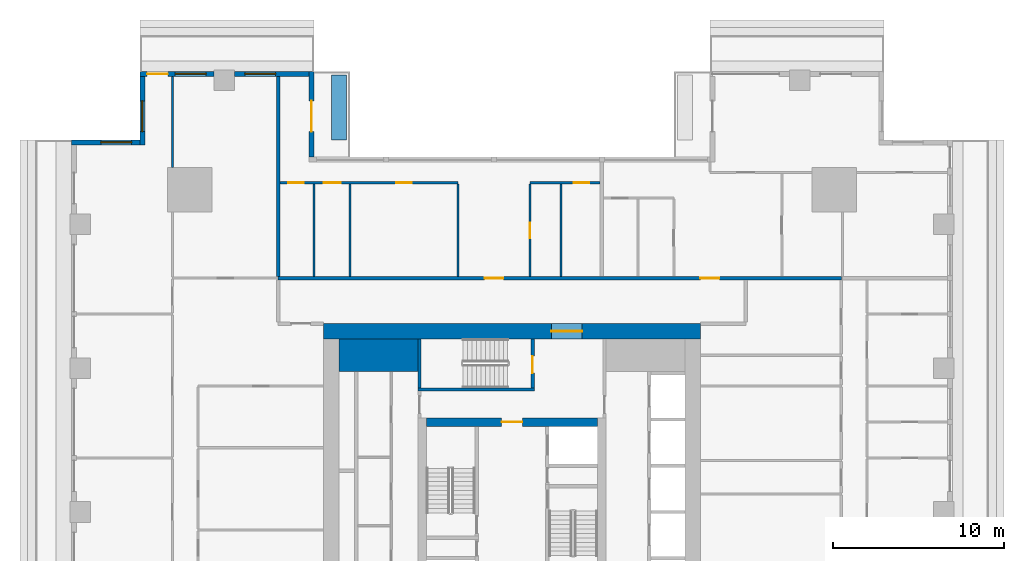
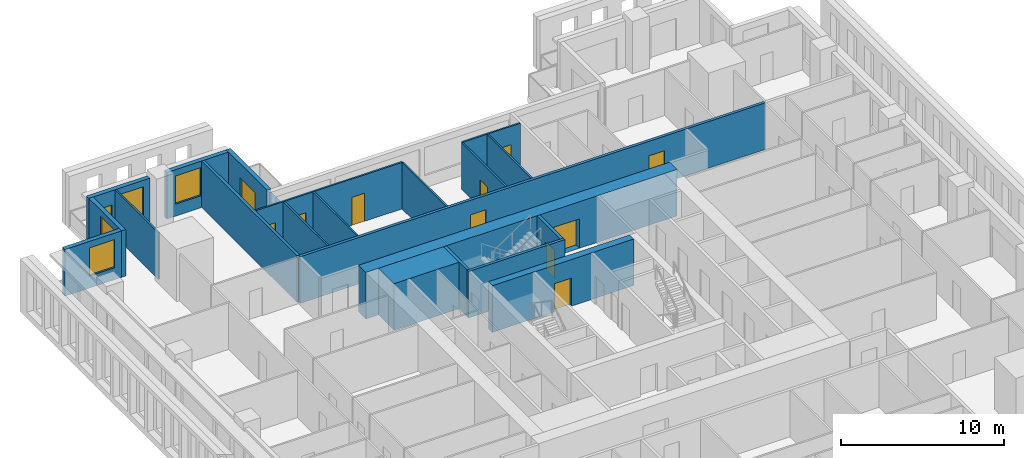
# One storey, part 7 of 15: 22 walls, 12 doors, 4 windows, 16 openings.
"""IFC4 building model written with IfcOpenShell, lengths in metres."""

from ifc_helpers import new_model, si_unit, direction, frame, frame_2d, origin, place, context, subcontext, project, spatial, rectangle, extrude, material, layer, layer_set, type_object, element, fill, save


model = new_model("IFC4")

# Units and contexts
model_context = context("Model", 3, precision=1e-05, world=origin(), true_north=direction((0.0, 1.0)))
body_context = subcontext(model_context, "Body", "Model", "MODEL_VIEW")
ifc_project = project(units=[si_unit("LENGTHUNIT", "METRE"), si_unit("AREAUNIT", "SQUARE_METRE"), si_unit("VOLUMEUNIT", "CUBIC_METRE"), si_unit("PLANEANGLEUNIT", "RADIAN"), si_unit("MASSUNIT", "GRAM", prefix="KILO")], contexts=[model_context])

# Site, building, storey
site_placement = place(None, origin())
site = spatial("IfcSite", under=ifc_project, at=site_placement, CompositionType="ELEMENT")
building_placement = place(site_placement, origin())
building = spatial("IfcBuilding", under=site, at=building_placement, Name="Khepri Terraces", CompositionType="ELEMENT")
storey_placement = place(building_placement, frame((0.0, 0.0, 165.0)))
storey = spatial("IfcBuildingStorey", under=building, at=storey_placement, Name="L39", CompositionType="ELEMENT", Elevation=165.0)

# Walls
ifc_material_1 = material(Name="Concrete C60/75", Category="concrete")
ifc_layer_1 = layer(ifc_material_1, 1.89990234375, Name="Concrete C60/75", Category="concrete")
ifc_layer_set_1 = layer_set([ifc_layer_1], Name="Concrete C60/75")
wall_type_1 = type_object("IfcWallType", Name="Core wall 1900 C60/75", PredefinedType="SHEAR", material=ifc_layer_set_1)
wall_1_placement = place(storey_placement, frame((-10.10009765625, 9.14990234375, 0.0), z_axis=(0.0, 0.0, 1.0), x_axis=(1.0, 0.0, 0.0)))
element("IfcWall", 1, at=wall_1_placement, inside=storey, type_object=wall_type_1, Name="Core wall PR03 L39", PredefinedType="SHEAR", context=body_context, shape_type="SweptSolid", body=[
    extrude(rectangle(XDim=4.60009765625, YDim=1.89990234375, at=frame_2d((2.300048828125, 0.0))), origin(), (0.0, 0.0, 1.0), 3.47998046875),
])
ifc_layer_2 = layer(ifc_material_1, 0.199951171875, Name="Concrete C60/75", Category="concrete")
ifc_layer_set_2 = layer_set([ifc_layer_2], Name="Concrete C60/75")
wall_type_2 = type_object("IfcWallType", Name="Core wall 200 C60/75", PredefinedType="SHEAR", material=ifc_layer_set_2)
wall_2_placement = place(storey_placement, frame((-5.5, 7.14990234375, 0.0), z_axis=(0.0, 0.0, 1.0), x_axis=(1.0, 0.0, 0.0)))
element("IfcWall", 2, at=wall_2_placement, inside=storey, type_object=wall_type_2, Name="Core wall ST05 L39", PredefinedType="SHEAR", context=body_context, shape_type="SweptSolid", body=[
    extrude(rectangle(XDim=6.800048828125, YDim=0.199951171875, at=frame_2d((3.39990234375, 0.0))), origin(), (0.0, 0.0, 1.0), 3.47998046875),
])
wall_3_placement = place(storey_placement, frame((-5.39990234375, 7.25, 0.0), z_axis=(0.0, 0.0, 1.0), x_axis=(0.0, 1.0, 0.0)))
element("IfcWall", 3, at=wall_3_placement, inside=storey, type_object=wall_type_2, Name="Core wall ST06 L39", PredefinedType="SHEAR", context=body_context, shape_type="SweptSolid", body=[
    extrude(rectangle(XDim=2.85009765625, YDim=0.199951171875, at=frame_2d((1.425048828125, 0.0))), origin(), (0.0, 0.0, 1.0), 3.47998046875),
])

# Wall, opening, door
wall_4_placement = place(storey_placement, frame((1.199951171875, 7.25, 0.0), z_axis=(0.0, 0.0, 1.0), x_axis=(0.0, 1.0, 0.0)))
wall_4 = element("IfcWall", 4, at=wall_4_placement, inside=storey, type_object=wall_type_2, Name="Core wall ST07 L39", PredefinedType="SHEAR", context=body_context, shape_type="SweptSolid", body=[
    extrude(rectangle(XDim=2.85009765625, YDim=0.199951171875, at=frame_2d((1.425048828125, 0.0))), origin(), (0.0, 0.0, 1.0), 3.47998046875),
])
opening_1_placement = place(wall_4_placement, frame((0.85009765625, 0.0, 0.0)))
opening_1 = element("IfcOpeningElement", 5, at=opening_1_placement, cuts=wall_4, Name="Opening L39-C15", PredefinedType="OPENING", context=body_context, shape_type="SweptSolid", body=[
    extrude(rectangle(XDim=1.0, YDim=2.10009765625, at=frame_2d((0.5, 1.050048828125))), frame((0.0, 0.10986328125, 0.0), z_axis=(0.0, -1.0, 0.0), x_axis=(1.0, 0.0, 0.0)), (0.0, 0.0, 1.0), 0.219970703125),
])
ifc_material_2 = material(Name="Painted steel", Category="steel")
door_type_1 = type_object("IfcDoorType", Name="DR-CORE-STAIR-1000", OperationType="NOTDEFINED", PredefinedType="DOOR", material=ifc_material_2)
door_1_placement = place(opening_1_placement, origin())
door_1 = element("IfcDoor", 6, at=door_1_placement, inside=storey, type_object=door_type_1, Name="Stair door L39-C15", OperationType="SINGLE_SWING_LEFT", OverallHeight=2.10009765625, OverallWidth=1.0, PredefinedType="DOOR", context=body_context, shape_type="SweptSolid", body=[
    extrude(rectangle(XDim=1.0, YDim=2.10009765625, at=frame_2d((0.5, 1.050048828125))), frame((0.0, 0.02490234375, 0.0), z_axis=(0.0, -1.0, 0.0), x_axis=(1.0, 0.0, 0.0)), (0.0, 0.0, 1.0), 0.050048828125),
])
fill(opening_1, door_1)

ifc_layer_3 = layer(ifc_material_1, 0.5, Name="Concrete C60/75", Category="concrete")
ifc_layer_set_3 = layer_set([ifc_layer_3], Name="Concrete C60/75")
wall_type_3 = type_object("IfcWallType", Name="Core wall 500 C60/75", PredefinedType="SHEAR", material=ifc_layer_set_3)
wall_5_placement = place(storey_placement, frame((-5.0, 5.25, 0.0), z_axis=(0.0, 0.0, 1.0), x_axis=(1.0, 0.0, 0.0)))
wall_5 = element("IfcWall", 7, at=wall_5_placement, inside=storey, type_object=wall_type_3, Name="Core wall BX04 L39", PredefinedType="SHEAR", context=body_context, shape_type="SweptSolid", body=[
    extrude(rectangle(XDim=10.0, YDim=0.5, at=frame_2d((5.0, 0.0))), origin(), (0.0, 0.0, 1.0), 3.47998046875),
])
opening_2_placement = place(wall_5_placement, frame((4.39990234375, 0.0, 0.0)))
opening_2 = element("IfcOpeningElement", 8, at=opening_2_placement, cuts=wall_5, Name="Opening L39-C13", PredefinedType="OPENING", context=body_context, shape_type="SweptSolid", body=[
    extrude(rectangle(XDim=1.199951171875, YDim=2.10009765625, at=frame_2d((0.60009765625, 1.050048828125))), frame((0.0, 0.260009765625, 0.0), z_axis=(0.0, -1.0, 0.0), x_axis=(1.0, 0.0, 0.0)), (0.0, 0.0, 1.0), 0.52001953125),
])
door_type_2 = type_object("IfcDoorType", Name="DR-CORE-FF-LOBBY-1200", OperationType="NOTDEFINED", PredefinedType="DOOR", material=ifc_material_2)
door_2_placement = place(opening_2_placement, frame((1.199951171875, 0.0, 0.0), z_axis=(0.0, 0.0, 1.0), x_axis=(-1.0, 0.0, 0.0)))
door_2 = element("IfcDoor", 9, at=door_2_placement, inside=storey, type_object=door_type_2, Name="Firefighting lobby door L39-C13", OperationType="SINGLE_SWING_LEFT", OverallHeight=2.10009765625, OverallWidth=1.199951171875, PredefinedType="DOOR", context=body_context, shape_type="SweptSolid", body=[
    extrude(rectangle(XDim=1.199951171875, YDim=2.10009765625, at=frame_2d((0.60009765625, 1.050048828125))), frame((0.0, 0.02490234375, 0.0), z_axis=(0.0, -1.0, 0.0), x_axis=(1.0, 0.0, 0.0)), (0.0, 0.0, 1.0), 0.050048828125),
])
fill(opening_2, door_2)

ifc_layer_4 = layer(ifc_material_1, 0.89990234375, Name="Concrete C60/75", Category="concrete")
ifc_layer_set_4 = layer_set([ifc_layer_4], Name="Concrete C60/75")
wall_type_4 = type_object("IfcWallType", Name="Core wall 900 C60/75", PredefinedType="SHEAR", material=ifc_layer_set_4)
wall_6_placement = place(storey_placement, frame((-11.0, 10.550048828125, 0.0), z_axis=(0.0, 0.0, 1.0), x_axis=(1.0, 0.0, 0.0)))
wall_6 = element("IfcWall", 10, at=wall_6_placement, inside=storey, type_object=wall_type_4, Name="Core wall OW-N L39", PredefinedType="SHEAR", context=body_context, shape_type="SweptSolid", body=[
    extrude(rectangle(XDim=22.0, YDim=0.89990234375, at=frame_2d((11.0, 0.0))), origin(), (0.0, 0.0, 1.0), 3.47998046875),
])
opening_3_placement = place(wall_6_placement, frame((13.300048828125, 0.0, 0.0)))
opening_3 = element("IfcOpeningElement", 11, at=opening_3_placement, cuts=wall_6, Name="Opening L39-C20", PredefinedType="OPENING", context=body_context, shape_type="SweptSolid", body=[
    extrude(rectangle(XDim=1.800048828125, YDim=2.199951171875, at=frame_2d((0.89990234375, 1.10009765625))), frame((0.0, 0.4599609375, 0.0), z_axis=(0.0, -1.0, 0.0), x_axis=(1.0, 0.0, 0.0)), (0.0, 0.0, 1.0), 0.919921875),
])
door_type_3 = type_object("IfcDoorType", Name="DR-CORE-ENTRANCE-1800", OperationType="NOTDEFINED", PredefinedType="DOOR", material=ifc_material_2)
door_3_placement = place(opening_3_placement, origin())
door_3 = element("IfcDoor", 12, at=door_3_placement, inside=storey, type_object=door_type_3, Name="Core entrance door pair L39-C20", OperationType="DOUBLE_DOOR_SINGLE_SWING", OverallHeight=2.199951171875, OverallWidth=1.800048828125, PredefinedType="DOOR", context=body_context, shape_type="SweptSolid", body=[
    extrude(rectangle(XDim=1.800048828125, YDim=2.199951171875, at=frame_2d((0.89990234375, 1.10009765625))), frame((0.0, 0.02490234375, 0.0), z_axis=(0.0, -1.0, 0.0), x_axis=(1.0, 0.0, 0.0)), (0.0, 0.0, 1.0), 0.050048828125),
])
fill(opening_3, door_3)

# Wall, openings, doors
ifc_material_3 = material(Name="Fire-rated gypsum plasterboard partition, mineral wool")
ifc_layer_5 = layer(ifc_material_3, 0.199951171875, Name="Fire-rated gypsum plasterboard partition, mineral wool")
ifc_layer_set_5 = layer_set([ifc_layer_5], Name="Fire-rated gypsum plasterboard partition, mineral wool")
wall_type_5 = type_object("IfcWallType", Name="WL-CORR-200", PredefinedType="PARTITIONING", material=ifc_layer_set_5)
wall_7_placement = place(storey_placement, frame((-13.64990234375, 13.64990234375, 0.0), z_axis=(0.0, 0.0, 1.0), x_axis=(1.0, 0.0, 0.0)))
wall_7 = element("IfcWall", 13, at=wall_7_placement, inside=storey, type_object=wall_type_5, Name="Partition P-084 L39", PredefinedType="PARTITIONING", context=body_context, shape_type="SweptSolid", body=[
    extrude(rectangle(XDim=32.869873046875, YDim=0.199951171875, at=frame_2d((16.43505859375, 0.0))), origin(), (0.0, 0.0, 1.0), 3.47998046875),
])
opening_4_placement = place(wall_7_placement, frame((24.64990234375, 0.0, 0.0)))
opening_4 = element("IfcOpeningElement", 14, at=opening_4_placement, cuts=wall_7, Name="Opening D1", PredefinedType="OPENING", context=body_context, shape_type="SweptSolid", body=[
    extrude(rectangle(XDim=1.10009765625, YDim=2.39990234375, at=frame_2d((0.550048828125, 1.199951171875))), frame((0.0, 0.10986328125, 0.0), z_axis=(0.0, -1.0, 0.0), x_axis=(1.0, 0.0, 0.0)), (0.0, 0.0, 1.0), 0.219970703125),
])
opening_5_placement = place(wall_7_placement, frame((12.050048828125, 0.0, 0.0)))
opening_5 = element("IfcOpeningElement", 15, at=opening_5_placement, cuts=wall_7, Name="Opening D1", PredefinedType="OPENING", context=body_context, shape_type="SweptSolid", body=[
    extrude(rectangle(XDim=1.10009765625, YDim=2.39990234375, at=frame_2d((0.550048828125, 1.199951171875))), frame((0.0, 0.10986328125, 0.0), z_axis=(0.0, -1.0, 0.0), x_axis=(1.0, 0.0, 0.0)), (0.0, 0.0, 1.0), 0.219970703125),
])
ifc_material_4 = material(Name="Solid-core timber door leaf, flat entrance door", Category="wood")
door_type_4 = type_object("IfcDoorType", Name="DR-ENT-1100", OperationType="NOTDEFINED", PredefinedType="DOOR", material=ifc_material_4)
door_4_placement = place(opening_4_placement, origin())
door_4 = element("IfcDoor", 16, at=door_4_placement, inside=storey, type_object=door_type_4, Name="Flat C1 entrance door", OperationType="SINGLE_SWING_RIGHT", OverallHeight=2.39990234375, OverallWidth=1.10009765625, PredefinedType="DOOR", context=body_context, shape_type="SweptSolid", body=[
    extrude(rectangle(XDim=1.10009765625, YDim=2.39990234375, at=frame_2d((0.550048828125, 1.199951171875))), frame((0.0, 0.02490234375, 0.0), z_axis=(0.0, -1.0, 0.0), x_axis=(1.0, 0.0, 0.0)), (0.0, 0.0, 1.0), 0.050048828125),
])
fill(opening_4, door_4)
door_5_placement = place(opening_5_placement, origin())
door_5 = element("IfcDoor", 17, at=door_5_placement, inside=storey, type_object=door_type_4, Name="Flat C2 entrance door", OperationType="SINGLE_SWING_LEFT", OverallHeight=2.39990234375, OverallWidth=1.10009765625, PredefinedType="DOOR", context=body_context, shape_type="SweptSolid", body=[
    extrude(rectangle(XDim=1.10009765625, YDim=2.39990234375, at=frame_2d((0.550048828125, 1.199951171875))), frame((0.0, 0.02490234375, 0.0), z_axis=(0.0, -1.0, 0.0), x_axis=(1.0, 0.0, 0.0)), (0.0, 0.0, 1.0), 0.050048828125),
])
fill(opening_5, door_5)

# Wall
wall_8_placement = place(storey_placement, frame((-13.64990234375, 13.75, 0.0), z_axis=(0.0, 0.0, 1.0), x_axis=(0.0, 1.0, 0.0)))
element("IfcWall", 18, at=wall_8_placement, inside=storey, type_object=wall_type_5, Name="Partition P-087 L39", PredefinedType="PARTITIONING", context=body_context, shape_type="SweptSolid", body=[
    extrude(rectangle(XDim=11.669921875, YDim=0.199951171875, at=frame_2d((5.8349609375, 0.0))), origin(), (0.0, 0.0, 1.0), 3.47998046875),
])

# Wall, opening, door
ifc_material_5 = material(Name="Precast concrete C50/60 warm stone", Category="masonry")
ifc_layer_6 = layer(ifc_material_5, 0.300048828125, Name="Precast concrete C50/60 warm stone", Category="masonry")
ifc_layer_set_6 = layer_set([ifc_layer_6], Name="Precast concrete C50/60 warm stone")
wall_type_6 = type_object("IfcWallType", Name="WL-EXT-PRECAST-300", PredefinedType="STANDARD", material=ifc_layer_set_6)
wall_9_placement = place(storey_placement, frame((-11.699951171875, 20.719970703125, 0.0), z_axis=(0.0, 0.0, 1.0), x_axis=(0.0, 1.0, 0.0)))
wall_9 = element("IfcWall", 19, at=wall_9_placement, inside=storey, type_object=wall_type_6, Name="External wall L39 E", PredefinedType="STANDARD", context=body_context, shape_type="SweptSolid", body=[
    extrude(rectangle(XDim=5.0, YDim=0.300048828125, at=frame_2d((2.5, 0.0))), origin(), (0.0, 0.0, 1.0), 3.47998046875),
])
opening_6_placement = place(wall_9_placement, frame((1.47998046875, 0.0, 0.0)))
opening_6 = element("IfcOpeningElement", 20, at=opening_6_placement, cuts=wall_9, Name="Opening ED-L39-11", PredefinedType="OPENING", context=body_context, shape_type="SweptSolid", body=[
    extrude(rectangle(XDim=1.800048828125, YDim=2.39990234375, at=frame_2d((0.89990234375, 1.199951171875))), frame((0.0, 0.16015625, 0.0), z_axis=(0.0, -1.0, 0.0), x_axis=(1.0, 0.0, 0.0)), (0.0, 0.0, 1.0), 0.320068359375),
])
ifc_material_6 = material(Name="Anodised aluminium bronze glazed door", Category="aluminium")
door_type_5 = type_object("IfcDoorType", Name="DR-BAL-SLIDE-1800x2400", OperationType="NOTDEFINED", PredefinedType="DOOR", material=ifc_material_6)
door_6_placement = place(opening_6_placement, origin())
door_6 = element("IfcDoor", 21, at=door_6_placement, inside=storey, type_object=door_type_5, Name="Balcony door L39 E", OperationType="SLIDING_TO_RIGHT", OverallHeight=2.39990234375, OverallWidth=1.800048828125, PredefinedType="DOOR", context=body_context, shape_type="SweptSolid", body=[
    extrude(rectangle(XDim=1.800048828125, YDim=2.39990234375, at=frame_2d((0.89990234375, 1.199951171875))), frame((0.0, 0.02490234375, 0.0), z_axis=(0.0, -1.0, 0.0), x_axis=(1.0, 0.0, 0.0)), (0.0, 0.0, 1.0), 0.050048828125),
])
fill(opening_6, door_6)

# Wall, opening, window
wall_10_placement = place(storey_placement, frame((-11.85009765625, 25.570068359375, 0.0), z_axis=(0.0, 0.0, 1.0), x_axis=(-1.0, 0.0, 0.0)))
wall_10 = element("IfcWall", 22, at=wall_10_placement, inside=storey, type_object=wall_type_6, Name="External wall L39 N", PredefinedType="STANDARD", context=body_context, shape_type="SweptSolid", body=[
    extrude(rectangle(XDim=4.349853515625, YDim=0.300048828125, at=frame_2d((2.1748046875, 0.0))), origin(), (0.0, 0.0, 1.0), 3.47998046875),
])
opening_7_placement = place(wall_10_placement, frame((1.949951171875, 0.0, 0.89990234375)))
opening_7 = element("IfcOpeningElement", 23, at=opening_7_placement, cuts=wall_10, Name="Opening W1", PredefinedType="OPENING", context=body_context, shape_type="SweptSolid", body=[
    extrude(rectangle(XDim=1.800048828125, YDim=2.10009765625, at=frame_2d((0.89990234375, 1.050048828125))), frame((0.0, 0.16015625, 0.0), z_axis=(0.0, -1.0, 0.0), x_axis=(1.0, 0.0, 0.0)), (0.0, 0.0, 1.0), 0.320068359375),
])
ifc_material_7 = material(Name="Clear glass", Category="glass")
window_type = type_object("IfcWindowType", Name="WIN-RES-1800x2100", PartitioningType="SINGLE_PANEL", PredefinedType="WINDOW", material=ifc_material_7)
window_1_placement = place(opening_7_placement, origin())
window_1 = element("IfcWindow", 24, at=window_1_placement, inside=storey, type_object=window_type, Name="Window L39 N", OverallHeight=2.10009765625, OverallWidth=1.800048828125, PartitioningType="SINGLE_PANEL", PredefinedType="WINDOW", context=body_context, shape_type="SweptSolid", body=[
    extrude(rectangle(XDim=1.800048828125, YDim=2.10009765625, at=frame_2d((0.89990234375, 1.050048828125))), frame((0.0, 0.030029296875, 0.0), z_axis=(0.0, -1.0, 0.0), x_axis=(1.0, 0.0, 0.0)), (0.0, 0.0, 1.0), 0.06005859375),
])
fill(opening_7, window_1)

# Wall, openings, door, window
wall_11_placement = place(storey_placement, frame((-17.39990234375, 25.570068359375, 0.0), z_axis=(0.0, 0.0, 1.0), x_axis=(-1.0, 0.0, 0.0)))
wall_11 = element("IfcWall", 25, at=wall_11_placement, inside=storey, type_object=wall_type_6, Name="External wall L39 N", PredefinedType="STANDARD", context=body_context, shape_type="SweptSolid", body=[
    extrude(rectangle(XDim=4.320068359375, YDim=0.300048828125, at=frame_2d((2.16015625, 0.0))), origin(), (0.0, 0.0, 1.0), 3.47998046875),
])
opening_8_placement = place(wall_11_placement, frame((2.695068359375, 0.0, 0.0)))
opening_8 = element("IfcOpeningElement", 26, at=opening_8_placement, cuts=wall_11, Name="Opening ED-L39-12", PredefinedType="OPENING", context=body_context, shape_type="SweptSolid", body=[
    extrude(rectangle(XDim=1.199951171875, YDim=2.39990234375, at=frame_2d((0.60009765625, 1.199951171875))), frame((0.0, 0.16015625, 0.0), z_axis=(0.0, -1.0, 0.0), x_axis=(1.0, 0.0, 0.0)), (0.0, 0.0, 1.0), 0.320068359375),
])
opening_9_placement = place(wall_11_placement, frame((0.4599609375, 0.0, 0.89990234375)))
opening_9 = element("IfcOpeningElement", 27, at=opening_9_placement, cuts=wall_11, Name="Opening W1", PredefinedType="OPENING", context=body_context, shape_type="SweptSolid", body=[
    extrude(rectangle(XDim=1.800048828125, YDim=2.10009765625, at=frame_2d((0.89990234375, 1.050048828125))), frame((0.0, 0.16015625, 0.0), z_axis=(0.0, -1.0, 0.0), x_axis=(1.0, 0.0, 0.0)), (0.0, 0.0, 1.0), 0.320068359375),
])
door_type_6 = type_object("IfcDoorType", Name="DR-BAL-SLIDE-1200x2400", OperationType="NOTDEFINED", PredefinedType="DOOR", material=ifc_material_6)
door_7_placement = place(opening_8_placement, origin())
door_7 = element("IfcDoor", 28, at=door_7_placement, inside=storey, type_object=door_type_6, Name="Balcony door L39 N", OperationType="SLIDING_TO_LEFT", OverallHeight=2.39990234375, OverallWidth=1.199951171875, PredefinedType="DOOR", context=body_context, shape_type="SweptSolid", body=[
    extrude(rectangle(XDim=1.199951171875, YDim=2.39990234375, at=frame_2d((0.60009765625, 1.199951171875))), frame((0.0, 0.02490234375, 0.0), z_axis=(0.0, -1.0, 0.0), x_axis=(1.0, 0.0, 0.0)), (0.0, 0.0, 1.0), 0.050048828125),
])
fill(opening_8, door_7)
window_2_placement = place(opening_9_placement, origin())
window_2 = element("IfcWindow", 29, at=window_2_placement, inside=storey, type_object=window_type, Name="Window L39 N", OverallHeight=2.10009765625, OverallWidth=1.800048828125, PartitioningType="SINGLE_PANEL", PredefinedType="WINDOW", context=body_context, shape_type="SweptSolid", body=[
    extrude(rectangle(XDim=1.800048828125, YDim=2.10009765625, at=frame_2d((0.89990234375, 1.050048828125))), frame((0.0, 0.030029296875, 0.0), z_axis=(0.0, -1.0, 0.0), x_axis=(1.0, 0.0, 0.0)), (0.0, 0.0, 1.0), 0.06005859375),
])
fill(opening_9, window_2)

# Wall, opening, window
wall_12_placement = place(storey_placement, frame((-21.570068359375, 25.419921875, 0.0), z_axis=(0.0, 0.0, 1.0), x_axis=(0.0, -1.0, 0.0)))
wall_12 = element("IfcWall", 30, at=wall_12_placement, inside=storey, type_object=wall_type_6, Name="External wall L39 W", PredefinedType="STANDARD", context=body_context, shape_type="SweptSolid", body=[
    extrude(rectangle(XDim=4.0, YDim=0.300048828125, at=frame_2d((2.0, 0.0))), origin(), (0.0, 0.0, 1.0), 3.47998046875),
])
opening_10_placement = place(wall_12_placement, frame((1.419921875, 0.0, 0.89990234375)))
opening_10 = element("IfcOpeningElement", 31, at=opening_10_placement, cuts=wall_12, Name="Opening W1", PredefinedType="OPENING", context=body_context, shape_type="SweptSolid", body=[
    extrude(rectangle(XDim=1.800048828125, YDim=2.10009765625, at=frame_2d((0.89990234375, 1.050048828125))), frame((0.0, 0.16015625, 0.0), z_axis=(0.0, -1.0, 0.0), x_axis=(1.0, 0.0, 0.0)), (0.0, 0.0, 1.0), 0.320068359375),
])
window_3_placement = place(opening_10_placement, origin())
window_3 = element("IfcWindow", 32, at=window_3_placement, inside=storey, type_object=window_type, Name="Window L39 W", OverallHeight=2.10009765625, OverallWidth=1.800048828125, PartitioningType="SINGLE_PANEL", PredefinedType="WINDOW", context=body_context, shape_type="SweptSolid", body=[
    extrude(rectangle(XDim=1.800048828125, YDim=2.10009765625, at=frame_2d((0.89990234375, 1.050048828125))), frame((0.0, 0.030029296875, 0.0), z_axis=(0.0, -1.0, 0.0), x_axis=(1.0, 0.0, 0.0)), (0.0, 0.0, 1.0), 0.06005859375),
])
fill(opening_10, window_3)

wall_13_placement = place(storey_placement, frame((-21.719970703125, 21.570068359375, 0.0), z_axis=(0.0, 0.0, 1.0), x_axis=(-1.0, 0.0, 0.0)))
wall_13 = element("IfcWall", 33, at=wall_13_placement, inside=storey, type_object=wall_type_6, Name="External wall L39 N", PredefinedType="STANDARD", context=body_context, shape_type="SweptSolid", body=[
    extrude(rectangle(XDim=4.0, YDim=0.300048828125, at=frame_2d((2.0, 0.0))), origin(), (0.0, 0.0, 1.0), 3.47998046875),
])
opening_11_placement = place(wall_13_placement, frame((0.47998046875, 0.0, 0.89990234375)))
opening_11 = element("IfcOpeningElement", 34, at=opening_11_placement, cuts=wall_13, Name="Opening W1", PredefinedType="OPENING", context=body_context, shape_type="SweptSolid", body=[
    extrude(rectangle(XDim=1.800048828125, YDim=2.10009765625, at=frame_2d((0.89990234375, 1.050048828125))), frame((0.0, 0.16015625, 0.0), z_axis=(0.0, -1.0, 0.0), x_axis=(1.0, 0.0, 0.0)), (0.0, 0.0, 1.0), 0.320068359375),
])
window_4_placement = place(opening_11_placement, origin())
window_4 = element("IfcWindow", 35, at=window_4_placement, inside=storey, type_object=window_type, Name="Window L39 N", OverallHeight=2.10009765625, OverallWidth=1.800048828125, PartitioningType="SINGLE_PANEL", PredefinedType="WINDOW", context=body_context, shape_type="SweptSolid", body=[
    extrude(rectangle(XDim=1.800048828125, YDim=2.10009765625, at=frame_2d((0.89990234375, 1.050048828125))), frame((0.0, 0.030029296875, 0.0), z_axis=(0.0, -1.0, 0.0), x_axis=(1.0, 0.0, 0.0)), (0.0, 0.0, 1.0), 0.06005859375),
])
fill(opening_11, window_4)

# Walls
ifc_material_8 = material(Name="Gypsum plasterboard partition")
ifc_layer_7 = layer(ifc_material_8, 0.1201171875, Name="Gypsum plasterboard partition")
ifc_layer_set_7 = layer_set([ifc_layer_7], Name="Gypsum plasterboard partition")
wall_type_7 = type_object("IfcWallType", Name="WL-PART-120", PredefinedType="PARTITIONING", material=ifc_layer_set_7)
for number, where, z_axis, x_axis, name in (
    (36, (-11.550048828125, 13.75, 0.0), (0.0, 0.0, 1.0), (0.0, 1.0, 0.0), "Partition P-088 L39"),
    (37, (-9.449951171875, 13.75, 0.0), (0.0, 0.0, 1.0), (0.0, 1.0, 0.0), "Partition P-089 L39"),
    (38, (-3.14990234375, 13.75, 0.0), (0.0, 0.0, 1.0), (0.0, 1.0, 0.0), "Partition P-090 L39"),
):
    element("IfcWall", number, at=place(storey_placement, frame(where, z_axis=z_axis, x_axis=x_axis)), inside=storey, type_object=wall_type_7, Name=name, PredefinedType="PARTITIONING", context=body_context, shape_type="SweptSolid", body=[
        extrude(rectangle(XDim=5.409912109375, YDim=0.1201171875, at=frame_2d((2.705078125, 0.0))), origin(), (0.0, 0.0, 1.0), 3.47998046875),
    ])

# Wall, opening, door
wall_14_placement = place(storey_placement, frame((1.050048828125, 13.75, 0.0), z_axis=(0.0, 0.0, 1.0), x_axis=(0.0, 1.0, 0.0)))
wall_14 = element("IfcWall", 39, at=wall_14_placement, inside=storey, type_object=wall_type_7, Name="Partition P-091 L39", PredefinedType="PARTITIONING", context=body_context, shape_type="SweptSolid", body=[
    extrude(rectangle(XDim=5.409912109375, YDim=0.1201171875, at=frame_2d((2.705078125, 0.0))), origin(), (0.0, 0.0, 1.0), 3.47998046875),
])
opening_12_placement = place(wall_14_placement, frame((2.235107421875, 0.0, 0.0)))
opening_12 = element("IfcOpeningElement", 40, at=opening_12_placement, cuts=wall_14, Name="Opening D3", PredefinedType="OPENING", context=body_context, shape_type="SweptSolid", body=[
    extrude(rectangle(XDim=0.89990234375, YDim=2.10009765625, at=frame_2d((0.449951171875, 1.050048828125))), frame((0.0, 0.070068359375, 0.0), z_axis=(0.0, -1.0, 0.0), x_axis=(1.0, 0.0, 0.0)), (0.0, 0.0, 1.0), 0.14013671875),
])
ifc_material_9 = material(Name="Timber door leaf", Category="wood")
door_type_7 = type_object("IfcDoorType", Name="DR-INT-900", OperationType="NOTDEFINED", PredefinedType="DOOR", material=ifc_material_9)
door_8_placement = place(opening_12_placement, frame((0.89990234375, 0.0, 0.0), z_axis=(0.0, 0.0, 1.0), x_axis=(-1.0, 0.0, 0.0)))
door_8 = element("IfcDoor", 41, at=door_8_placement, inside=storey, type_object=door_type_7, Name="Door Utility Room", OperationType="SINGLE_SWING_RIGHT", OverallHeight=2.10009765625, OverallWidth=0.89990234375, PredefinedType="DOOR", context=body_context, shape_type="SweptSolid", body=[
    extrude(rectangle(XDim=0.89990234375, YDim=2.10009765625, at=frame_2d((0.449951171875, 1.050048828125))), frame((0.0, 0.02490234375, 0.0), z_axis=(0.0, -1.0, 0.0), x_axis=(1.0, 0.0, 0.0)), (0.0, 0.0, 1.0), 0.050048828125),
])
fill(opening_12, door_8)

# Wall
wall_15_placement = place(storey_placement, frame((2.85009765625, 13.75, 0.0), z_axis=(0.0, 0.0, 1.0), x_axis=(0.0, 1.0, 0.0)))
element("IfcWall", 42, at=wall_15_placement, inside=storey, type_object=wall_type_7, Name="Partition P-092 L39", PredefinedType="PARTITIONING", context=body_context, shape_type="SweptSolid", body=[
    extrude(rectangle(XDim=5.409912109375, YDim=0.1201171875, at=frame_2d((2.705078125, 0.0))), origin(), (0.0, 0.0, 1.0), 3.47998046875),
])

# Wall, openings, doors
wall_16_placement = place(storey_placement, frame((-13.550048828125, 19.219970703125, 0.0), z_axis=(0.0, 0.0, 1.0), x_axis=(1.0, 0.0, 0.0)))
wall_16 = element("IfcWall", 43, at=wall_16_placement, inside=storey, type_object=wall_type_7, Name="Partition P-099 L39", PredefinedType="PARTITIONING", context=body_context, shape_type="SweptSolid", body=[
    extrude(rectangle(XDim=10.400146484375, YDim=0.1201171875, at=frame_2d((5.2001953125, 0.0))), origin(), (0.0, 0.0, 1.0), 3.47998046875),
])
opening_13_placement = place(wall_16_placement, frame((6.800048828125, 0.0, 0.0)))
opening_13 = element("IfcOpeningElement", 44, at=opening_13_placement, cuts=wall_16, Name="Opening D3", PredefinedType="OPENING", context=body_context, shape_type="SweptSolid", body=[
    extrude(rectangle(XDim=0.89990234375, YDim=2.10009765625, at=frame_2d((0.449951171875, 1.050048828125))), frame((0.0, 0.070068359375, 0.0), z_axis=(0.0, -1.0, 0.0), x_axis=(1.0, 0.0, 0.0)), (0.0, 0.0, 1.0), 0.14013671875),
])
opening_14_placement = place(wall_16_placement, frame((2.550048828125, 0.0, 0.0)))
opening_14 = element("IfcOpeningElement", 45, at=opening_14_placement, cuts=wall_16, Name="Opening D2", PredefinedType="OPENING", context=body_context, shape_type="SweptSolid", body=[
    extrude(rectangle(XDim=1.0, YDim=2.10009765625, at=frame_2d((0.5, 1.050048828125))), frame((0.0, 0.070068359375, 0.0), z_axis=(0.0, -1.0, 0.0), x_axis=(1.0, 0.0, 0.0)), (0.0, 0.0, 1.0), 0.14013671875),
])
opening_15_placement = place(wall_16_placement, frame((0.5, 0.0, 0.0)))
opening_15 = element("IfcOpeningElement", 46, at=opening_15_placement, cuts=wall_16, Name="Opening D4", PredefinedType="OPENING", context=body_context, shape_type="SweptSolid", body=[
    extrude(rectangle(XDim=0.89990234375, YDim=2.10009765625, at=frame_2d((0.449951171875, 1.050048828125))), frame((0.0, 0.070068359375, 0.0), z_axis=(0.0, -1.0, 0.0), x_axis=(1.0, 0.0, 0.0)), (0.0, 0.0, 1.0), 0.14013671875),
])
ifc_material_10 = material(Name="Timber door leaf, living room door", Category="wood")
door_type_8 = type_object("IfcDoorType", Name="DR-INT-1000", OperationType="NOTDEFINED", PredefinedType="DOOR", material=ifc_material_10)
door_9_placement = place(opening_14_placement, frame((1.0, 0.0, 0.0), z_axis=(0.0, 0.0, 1.0), x_axis=(-1.0, 0.0, 0.0)))
door_9 = element("IfcDoor", 47, at=door_9_placement, inside=storey, type_object=door_type_8, Name="Door Family Room", OperationType="SINGLE_SWING_RIGHT", OverallHeight=2.10009765625, OverallWidth=1.0, PredefinedType="DOOR", context=body_context, shape_type="SweptSolid", body=[
    extrude(rectangle(XDim=1.0, YDim=2.10009765625, at=frame_2d((0.5, 1.050048828125))), frame((0.0, 0.02490234375, 0.0), z_axis=(0.0, -1.0, 0.0), x_axis=(1.0, 0.0, 0.0)), (0.0, 0.0, 1.0), 0.050048828125),
])
fill(opening_14, door_9)
door_10_placement = place(opening_13_placement, frame((0.89990234375, 0.0, 0.0), z_axis=(0.0, 0.0, 1.0), x_axis=(-1.0, 0.0, 0.0)))
door_10 = element("IfcDoor", 48, at=door_10_placement, inside=storey, type_object=door_type_7, Name="Door Kitchen", OperationType="SINGLE_SWING_LEFT", OverallHeight=2.10009765625, OverallWidth=0.89990234375, PredefinedType="DOOR", context=body_context, shape_type="SweptSolid", body=[
    extrude(rectangle(XDim=0.89990234375, YDim=2.10009765625, at=frame_2d((0.449951171875, 1.050048828125))), frame((0.0, 0.02490234375, 0.0), z_axis=(0.0, -1.0, 0.0), x_axis=(1.0, 0.0, 0.0)), (0.0, 0.0, 1.0), 0.050048828125),
])
fill(opening_13, door_10)
ifc_material_11 = material(Name="Timber door leaf, moisture resistant", Category="wood")
door_type_9 = type_object("IfcDoorType", Name="DR-WET-900", OperationType="NOTDEFINED", PredefinedType="DOOR", material=ifc_material_11)
door_11_placement = place(opening_15_placement, frame((0.89990234375, 0.0, 0.0), z_axis=(0.0, 0.0, 1.0), x_axis=(-1.0, 0.0, 0.0)))
door_11 = element("IfcDoor", 49, at=door_11_placement, inside=storey, type_object=door_type_9, Name="Door Guest Bathroom", OperationType="SINGLE_SWING_RIGHT", OverallHeight=2.10009765625, OverallWidth=0.89990234375, PredefinedType="DOOR", context=body_context, shape_type="SweptSolid", body=[
    extrude(rectangle(XDim=0.89990234375, YDim=2.10009765625, at=frame_2d((0.449951171875, 1.050048828125))), frame((0.0, 0.02490234375, 0.0), z_axis=(0.0, -1.0, 0.0), x_axis=(1.0, 0.0, 0.0)), (0.0, 0.0, 1.0), 0.050048828125),
])
fill(opening_15, door_11)

# Wall, opening, door
wall_17_placement = place(storey_placement, frame((1.050048828125, 19.219970703125, 0.0), z_axis=(0.0, 0.0, 1.0), x_axis=(1.0, 0.0, 0.0)))
wall_17 = element("IfcWall", 50, at=wall_17_placement, inside=storey, type_object=wall_type_7, Name="Partition P-100 L39", PredefinedType="PARTITIONING", context=body_context, shape_type="SweptSolid", body=[
    extrude(rectangle(XDim=4.099853515625, YDim=0.1201171875, at=frame_2d((2.0498046875, 0.0))), origin(), (0.0, 0.0, 1.0), 3.47998046875),
])
opening_16_placement = place(wall_17_placement, frame((2.550048828125, 0.0, 0.0)))
opening_16 = element("IfcOpeningElement", 51, at=opening_16_placement, cuts=wall_17, Name="Opening D3", PredefinedType="OPENING", context=body_context, shape_type="SweptSolid", body=[
    extrude(rectangle(XDim=0.89990234375, YDim=2.10009765625, at=frame_2d((0.449951171875, 1.050048828125))), frame((0.0, 0.070068359375, 0.0), z_axis=(0.0, -1.0, 0.0), x_axis=(1.0, 0.0, 0.0)), (0.0, 0.0, 1.0), 0.14013671875),
])
door_12_placement = place(opening_16_placement, frame((0.89990234375, 0.0, 0.0), z_axis=(0.0, 0.0, 1.0), x_axis=(-1.0, 0.0, 0.0)))
door_12 = element("IfcDoor", 52, at=door_12_placement, inside=storey, type_object=door_type_7, Name="Door Staff Bedroom", OperationType="SINGLE_SWING_LEFT", OverallHeight=2.10009765625, OverallWidth=0.89990234375, PredefinedType="DOOR", context=body_context, shape_type="SweptSolid", body=[
    extrude(rectangle(XDim=0.89990234375, YDim=2.10009765625, at=frame_2d((0.449951171875, 1.050048828125))), frame((0.0, 0.02490234375, 0.0), z_axis=(0.0, -1.0, 0.0), x_axis=(1.0, 0.0, 0.0)), (0.0, 0.0, 1.0), 0.050048828125),
])
fill(opening_16, door_12)

# Walls
wall_18_placement = place(storey_placement, frame((-19.820068359375, 20.10009765625, 0.0), z_axis=(0.0, 0.0, 1.0), x_axis=(0.0, 1.0, 0.0)))
element("IfcWall", 53, at=wall_18_placement, inside=storey, type_object=wall_type_7, Name="Partition P-104 L39", PredefinedType="PARTITIONING", context=body_context, shape_type="SweptSolid", body=[
    extrude(rectangle(XDim=5.31982421875, YDim=0.1201171875, at=frame_2d((2.659912109375, 0.0))), origin(), (0.0, 0.0, 1.0), 3.47998046875),
])
ifc_layer_8 = layer(ifc_material_5, 0.89990234375, Name="Precast concrete C50/60 warm stone", Category="masonry")
ifc_layer_set_8 = layer_set([ifc_layer_8], Name="Precast concrete C50/60 warm stone")
wall_type_8 = type_object("IfcWallType", Name="WL-PLANTER-900", PredefinedType="MOVABLE", material=ifc_layer_set_8)
wall_19_placement = place(storey_placement, frame((-10.10009765625, 21.719970703125, 0.0), z_axis=(0.0, 0.0, 1.0), x_axis=(0.0, 1.0, 0.0)))
element("IfcWall", 54, at=wall_19_placement, inside=storey, type_object=wall_type_8, Name="Planter L39", PredefinedType="MOVABLE", context=body_context, shape_type="SweptSolid", body=[
    extrude(rectangle(XDim=3.800048828125, YDim=0.89990234375, at=frame_2d((1.89990234375, 0.0))), origin(), (0.0, 0.0, 1.0), 0.60009765625),
])

save(model, "model.ifc")
